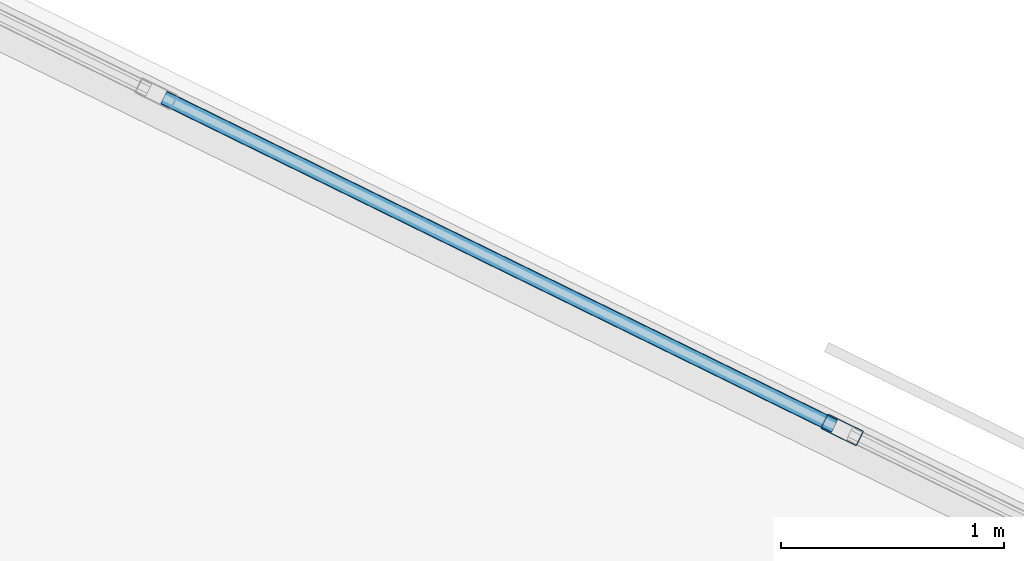
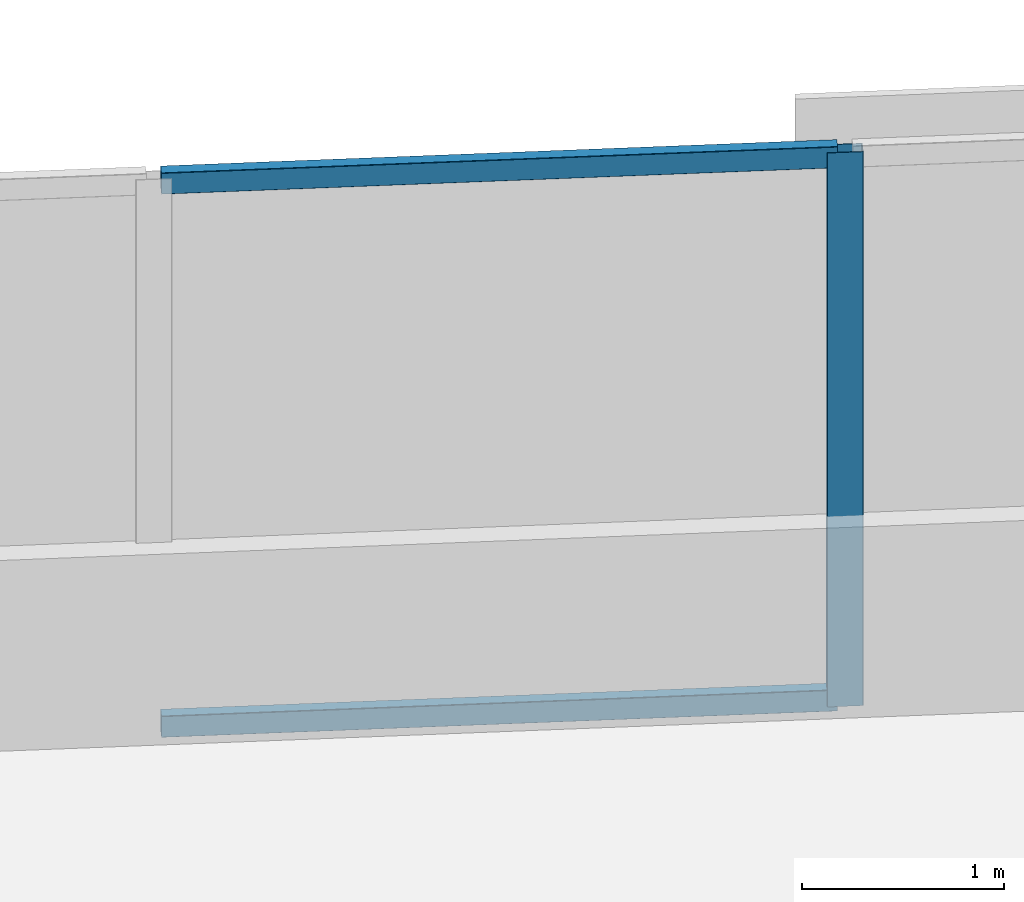
# One storey, part 11 of 19: 3 members, 1 element without a shape of its own.
"""IFC4 building model written with IfcOpenShell, lengths in metres."""

import ifcopenshell
import ifcopenshell.guid

model = None  # the IFC model being written
_history = None  # IfcOwnerHistory: only IFC2X3 demands one
_inside = {}  # id of a spatial element -> (the spatial element, [elements in it])
_under = {}  # id of a project, library or spatial element -> (it, [spatial elements below it])
_declared = {}  # id of a project -> (the project, [libraries it declares])
_typed = {}  # id of a type object -> (the type object, [elements of that type])
_made_of = {}  # id of a material, layer set ... -> (it, [elements and type objects made of it])


def new_model(schema):
    """Start an empty IFC model of exactly this schema.

    Asked for "IFC4X3", IfcOpenShell would pick the latest addendum, in which some entities
    have other attributes; the version numbers below select the first issue.
    IFC2X3 requires an IfcOwnerHistory on every rooted entity: one is made here for all.
    """
    global model, _history
    if schema == "IFC4X3":
        model = ifcopenshell.file(schema_version=(4, 3, 0, 0))
    else:
        model = ifcopenshell.file(schema=schema)
    _inside.clear()
    _under.clear()
    _declared.clear()
    _typed.clear()
    _made_of.clear()
    _history = None
    if model.schema == "IFC2X3":
        org = make("IfcOrganization", Name="unknown")
        user = make(
            "IfcPersonAndOrganization",
            ThePerson=make("IfcPerson", FamilyName="unknown"),
            TheOrganization=org,
        )
        app = make(
            "IfcApplication",
            ApplicationDeveloper=org,
            Version="unknown",
            ApplicationFullName="unknown",
            ApplicationIdentifier="unknown",
        )
        _history = make(
            "IfcOwnerHistory",
            OwningUser=user,
            OwningApplication=app,
            ChangeAction="ADDED",
            CreationDate=0,
        )
    return model


def make(cls, **values):
    """One entity of the class cls with the attributes given. An attribute that is None is left unset."""
    return model.create_entity(
        cls, **{name: value for name, value in values.items() if value is not None}
    )


def rooted(cls, **values):
    """An entity with a GlobalId (a new one), such as an element, a storey or a relation."""
    return make(cls, GlobalId=ifcopenshell.guid.new(), OwnerHistory=_history, **values)


def si_unit(unit_type, name, prefix=None):
    """IfcSIUnit, for example si_unit("LENGTHUNIT", "METRE", prefix="MILLI")."""
    return make("IfcSIUnit", UnitType=unit_type, Prefix=prefix, Name=name)


def assignment(units):
    """IfcUnitAssignment: the units of a project."""
    return None if units is None else make("IfcUnitAssignment", Units=units)


def point(xyz):
    """IfcCartesianPoint."""
    return None if xyz is None else make("IfcCartesianPoint", Coordinates=xyz)


def direction(xyz):
    """IfcDirection."""
    return None if xyz is None else make("IfcDirection", DirectionRatios=xyz)


def frame(location, z_axis=None, x_axis=None):
    """IfcAxis2Placement3D, a coordinate frame: its origin and axes. An axis left out is left unset."""
    return make(
        "IfcAxis2Placement3D",
        Location=point(location),
        Axis=direction(z_axis),
        RefDirection=direction(x_axis),
    )


def frame_2d(location, x_axis=None):
    """IfcAxis2Placement2D, a coordinate frame in the plane: its origin and x axis."""
    return make(
        "IfcAxis2Placement2D", Location=point(location), RefDirection=direction(x_axis)
    )


def origin():
    """The frame at (0, 0, 0) with its axes left unset."""
    return frame((0.0, 0.0, 0.0))


def origin_2d():
    """The frame at (0, 0) in the plane with its x axis left unset."""
    return frame_2d((0.0, 0.0))


def place(relative_to, where):
    """IfcLocalPlacement: puts the frame where relative to a parent placement (None: the world)."""
    return make(
        "IfcLocalPlacement", PlacementRelTo=relative_to, RelativePlacement=where
    )


def context(
    kind, dimensions, precision=None, world=None, true_north=None, identifier=None
):
    """IfcGeometricRepresentationContext, for example the 3D "Model" context."""
    return make(
        "IfcGeometricRepresentationContext",
        ContextIdentifier=identifier,
        ContextType=kind,
        CoordinateSpaceDimension=dimensions,
        Precision=precision,
        WorldCoordinateSystem=world,
        TrueNorth=true_north,
    )


def subcontext(parent, identifier, kind, view, scale=None):
    """IfcGeometricRepresentationSubContext, for example "Body" below "Model"."""
    return make(
        "IfcGeometricRepresentationSubContext",
        ContextIdentifier=identifier,
        ContextType=kind,
        ParentContext=parent,
        TargetScale=scale,
        TargetView=view,
    )


def project(units=None, contexts=None):
    """IfcProject with its units and contexts."""
    return rooted(
        "IfcProject",
        Name="project",
        RepresentationContexts=contexts,
        UnitsInContext=assignment(units),
    )


def spatial(cls, under=None, at=None, **own):
    """A site, building, storey or space (cls), placed at a placement, below another one or the project."""
    s = rooted(cls, ObjectPlacement=at, **own)
    if under is not None:
        _under.setdefault(under.id(), (under, []))[1].append(s)
    return s


def profile(cls, at=None, kind="AREA", **sizes):
    """A parametric profile (cls). Its sizes go by their IFC names, for example OverallWidth=200.0."""
    return make(cls, ProfileType=kind, Position=at, **sizes)


def hollow_rectangle(**sizes):
    """IfcRectangleHollowProfileDef."""
    return profile("IfcRectangleHollowProfileDef", **sizes)


def extrude(swept, where, along, depth):
    """IfcExtrudedAreaSolid: the profile swept, set in the frame where, extruded along a direction by depth."""
    return make(
        "IfcExtrudedAreaSolid",
        SweptArea=swept,
        Position=where,
        ExtrudedDirection=direction(along),
        Depth=depth,
    )


def shape(context_of_items, identifier, shape_type, items):
    """IfcShapeRepresentation: the items that make up one representation, for example the "Body"."""
    return make(
        "IfcShapeRepresentation",
        ContextOfItems=context_of_items,
        RepresentationIdentifier=identifier,
        RepresentationType=shape_type,
        Items=items,
    )


def material(Name=None, Category=None):
    """IfcMaterial."""
    return make("IfcMaterial", Name=Name, Category=Category)


def material_profile(
    of_material, cross_section, Name=None, Category=None, Priority=None
):
    """IfcMaterialProfile: a cross section and its material."""
    return make(
        "IfcMaterialProfile",
        Name=Name,
        Material=of_material,
        Profile=cross_section,
        Priority=Priority,
        Category=Category,
    )


def profile_set(profiles, Name=None, composite=None):
    """IfcMaterialProfileSet."""
    return make(
        "IfcMaterialProfileSet",
        Name=Name,
        MaterialProfiles=profiles,
        CompositeProfile=composite,
    )


def made_of(thing, what):
    """Note that an element or type object is made of a material, layer set ...; save() writes the relation."""
    if what is not None:
        _made_of.setdefault(what.id(), (what, []))[1].append(thing)
    return thing


def type_object(cls, material=None, **own):
    """A type object (cls), such as IfcWallType, which elements share."""
    return made_of(rooted(cls, **own), material)


def element(
    cls,
    number,
    at=None,
    inside=None,
    cuts=None,
    type_object=None,
    material=None,
    context=None,
    identifier="Body",
    shape_type=None,
    held_by="IfcProductDefinitionShape",
    body=None,
    shapes=None,
    **own,
):
    """One element of the class cls, such as IfcWall. Its Tag is "e" and its number.

    at: its placement. inside: the storey or other place that contains it. cuts: it is an
    opening in that element (IfcRelVoidsElement). A single representation is given by context,
    identifier, shape_type and body (its items); several are given by shapes. held_by: the class
    of the entity that holds the representations. save() writes the other relations.
    """
    e = rooted(cls, Tag="e%d" % number, ObjectPlacement=at, **own)
    if body is not None:
        shapes = [shape(context, identifier, shape_type, body)]
    if shapes is not None:
        e.Representation = make(held_by, Representations=shapes)
    if inside is not None:
        _inside.setdefault(inside.id(), (inside, []))[1].append(e)
    if cuts is not None:
        rooted(
            "IfcRelVoidsElement", RelatingBuildingElement=cuts, RelatedOpeningElement=e
        )
    if type_object is not None:
        _typed.setdefault(type_object.id(), (type_object, []))[1].append(e)
    return made_of(e, material)


def aggregate(whole, parts):
    """IfcRelAggregates: a whole, such as a stair, and the parts it consists of."""
    return rooted("IfcRelAggregates", RelatingObject=whole, RelatedObjects=parts)


def save(model, path):
    """Write the relations noted so far, then the file.

    IfcRelAggregates (storeys below a building ...), IfcRelContainedInSpatialStructure (elements
    in a storey), IfcRelDefinesByType, IfcRelAssociatesMaterial and IfcRelDeclares: one each for
    every whole, place, type object, material and project.
    """
    for whole, parts in _under.values():
        aggregate(whole, parts)
    for where, things in _inside.values():
        rooted(
            "IfcRelContainedInSpatialStructure",
            RelatedElements=things,
            RelatingStructure=where,
        )
    for kind, things in _typed.values():
        rooted("IfcRelDefinesByType", RelatedObjects=things, RelatingType=kind)
    for what, things in _made_of.values():
        rooted("IfcRelAssociatesMaterial", RelatedObjects=things, RelatingMaterial=what)
    for by, libraries in _declared.values():
        rooted("IfcRelDeclares", RelatingContext=by, RelatedDefinitions=libraries)
    model.write(path)


model = new_model("IFC4")

# Units and contexts
model_context = context("Model", 3, precision=1e-05, world=origin(), true_north=direction((0.0, 1.0)))
body_context = subcontext(model_context, "Body", "Model", "MODEL_VIEW")
ifc_project = project(units=[si_unit("LENGTHUNIT", "METRE"), si_unit("AREAUNIT", "SQUARE_METRE"), si_unit("VOLUMEUNIT", "CUBIC_METRE"), si_unit("PLANEANGLEUNIT", "RADIAN"), si_unit("MASSUNIT", "GRAM", prefix="KILO")], contexts=[model_context])

# Site, building, storey
site_placement = place(None, origin())
site = spatial("IfcSite", under=ifc_project, at=site_placement, CompositionType="ELEMENT")
building_placement = place(site_placement, origin())
building = spatial("IfcBuilding", under=site, at=building_placement, Name="Narakoshi Arena Tower", CompositionType="ELEMENT")
storey_placement = place(building_placement, frame((0.0, 0.0, 113.699951171875)))
storey = spatial("IfcBuildingStorey", under=building, at=storey_placement, Name="L30", CompositionType="ELEMENT", Elevation=113.699951171875)

# Curtain wall, members
ifc_material = material(Name="Anodised bronze aluminium 6063-T6", Category="aluminium")
curtain_wall_type = type_object("IfcCurtainWallType", Name="CW-HYP-LOW", PredefinedType="NOTDEFINED", material=ifc_material)
curtain_wall_placement = place(storey_placement, origin())
curtain_wall = element("IfcCurtainWall", 1, at=curtain_wall_placement, inside=storey, type_object=curtain_wall_type, Name="L30 Folded Hypotenuse Curtain Wall 2-1", PredefinedType="NOTDEFINED")
ifc_material_profile_1 = material_profile(ifc_material, hollow_rectangle(XDim=0.074951171875, YDim=0.179931640625, WallThickness=0.00390625, OuterFilletRadius=0.0048828125, at=origin_2d()), Name="MUL180x75x4")
ifc_profile_set_1 = profile_set([ifc_material_profile_1], Name="Anodised bronze aluminium 6063-T6")
member_type_1 = type_object("IfcMemberType", Name="MEM-MUL-180", PredefinedType="MULLION", material=ifc_profile_set_1)
member_1_placement = place(storey_placement, frame((81.486083984375, 65.51025390625, 0.0), z_axis=(0.0, 0.0, 1.0), x_axis=(-0.440004510198, -0.89799556291, 0.0)))
member_1 = element("IfcMember", 2, at=member_1_placement, type_object=member_type_1, Name="CW-01 mullion 3", PredefinedType="MULLION", context=body_context, shape_type="SweptSolid", body=[
    extrude(hollow_rectangle(XDim=0.074951171875, YDim=0.179931640625, WallThickness=0.00390625, OuterFilletRadius=0.0048828125, at=origin_2d()), origin(), (0.0, 0.0, 1.0), 3.340087890625),
])
ifc_material_profile_2 = material_profile(ifc_material, hollow_rectangle(XDim=0.06494140625, YDim=0.1298828125, WallThickness=0.00390625, OuterFilletRadius=0.0048828125, at=origin_2d()), Name="TRN130x65x4")
ifc_profile_set_2 = profile_set([ifc_material_profile_2], Name="Anodised bronze aluminium 6063-T6")
member_type_2 = type_object("IfcMemberType", Name="MEM-TRN-130", PredefinedType="USERDEFINED", material=ifc_profile_set_2)
member_2_placement = place(storey_placement, frame((81.452392578125, 65.52685546875, 0.032470703125), z_axis=(-0.898000963691, 0.439993487691, 0.0), x_axis=(-0.439993487691, -0.898000963691, 0.0)))
member_2 = element("IfcMember", 3, at=member_2_placement, type_object=member_type_2, Name="CW-01 transom 3.1", ObjectType="TRANSOM", PredefinedType="USERDEFINED", context=body_context, shape_type="SweptSolid", body=[
    extrude(hollow_rectangle(XDim=0.06494140625, YDim=0.1298828125, WallThickness=0.00390625, OuterFilletRadius=0.0048828125, at=origin_2d()), origin(), (0.0, 0.0, 1.0), 3.34765625),
])
member_3_placement = place(storey_placement, frame((81.452392578125, 65.52685546875, 3.3076171875), z_axis=(-0.898000963691, 0.439993487691, 0.0), x_axis=(-0.439993487691, -0.898000963691, 0.0)))
member_3 = element("IfcMember", 4, at=member_3_placement, type_object=member_type_2, Name="CW-01 transom 3.2", ObjectType="TRANSOM", PredefinedType="USERDEFINED", context=body_context, shape_type="SweptSolid", body=[
    extrude(hollow_rectangle(XDim=0.06494140625, YDim=0.1298828125, WallThickness=0.00390625, OuterFilletRadius=0.0048828125, at=origin_2d()), origin(), (0.0, 0.0, 1.0), 3.34765625),
])
aggregate(curtain_wall, [member_1, member_2, member_3])

save(model, "model.ifc")
